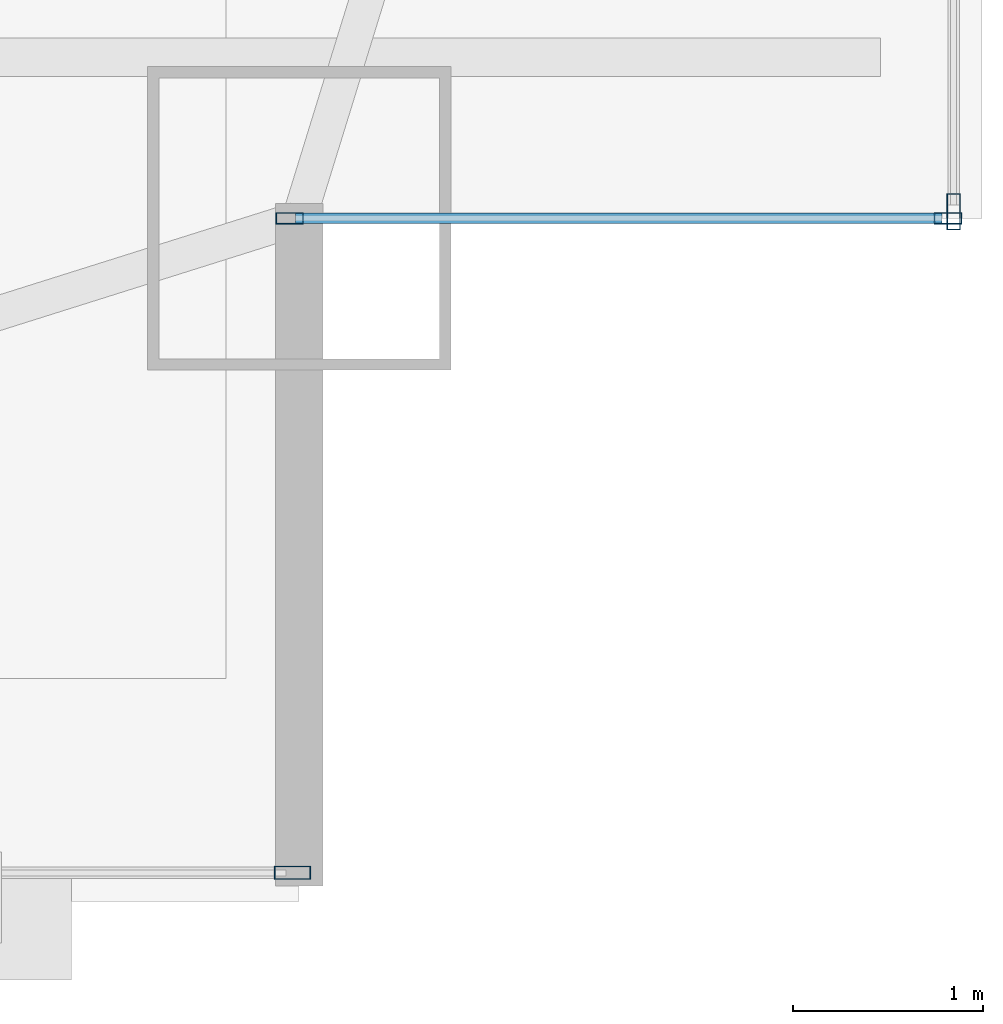
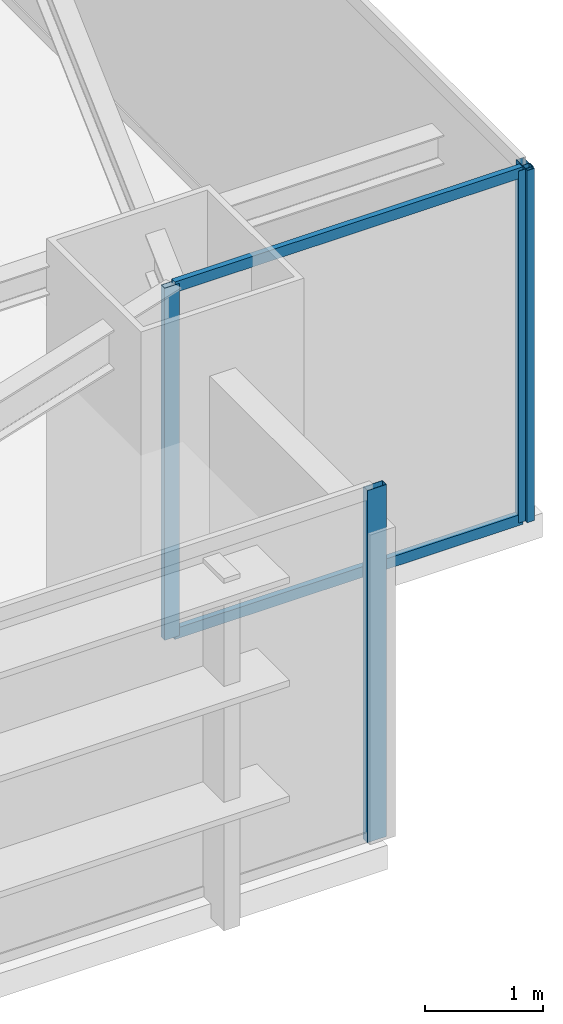
# One storey, part 16 of 30: 6 members, 3 elements without a shape of their own.
"""IFC4 building model written with IfcOpenShell, lengths in metres."""

from ifc_helpers import new_model, si_unit, direction, frame, origin, origin_2d, place, context, subcontext, project, spatial, hollow_rectangle, extrude, source, transform, mapped, material, layer, layer_set, material_profile, profile_set, type_object, type_shapes, element, aggregate, save


model = new_model("IFC4")

# Units and contexts
model_context = context("Model", 3, precision=1e-05, world=origin(), true_north=direction((0.0, 1.0)))
body_context = subcontext(model_context, "Body", "Model", "MODEL_VIEW")
ifc_project = project(units=[si_unit("LENGTHUNIT", "METRE"), si_unit("AREAUNIT", "SQUARE_METRE"), si_unit("VOLUMEUNIT", "CUBIC_METRE"), si_unit("PLANEANGLEUNIT", "RADIAN"), si_unit("MASSUNIT", "GRAM", prefix="KILO")], contexts=[model_context])

# Site, building, storey
site_placement = place(None, origin())
site = spatial("IfcSite", under=ifc_project, at=site_placement, CompositionType="ELEMENT")
building_placement = place(site_placement, origin())
building = spatial("IfcBuilding", under=site, at=building_placement, Name="Varnel Quay Broadcast Tower", CompositionType="ELEMENT")
storey_placement = place(building_placement, frame((0.0, 0.0, 62.699951171875)))
storey = spatial("IfcBuildingStorey", under=building, at=storey_placement, Name="L14", CompositionType="ELEMENT", Elevation=62.699951171875)

# Curtain wall, members
ifc_material = material(Name="Anodised Bronze Aluminium 6063-T6", Category="aluminium")
ifc_layer_1 = layer(ifc_material, 0.18994140625, Name="Anodised Bronze Aluminium 6063-T6")
ifc_layer_set_1 = layer_set([ifc_layer_1], Name="Anodised Bronze Aluminium 6063-T6")
curtain_wall_type_1 = type_object("IfcCurtainWallType", Name="CW_NotchCorner", PredefinedType="NOTDEFINED", material=ifc_layer_set_1)
curtain_wall_1_placement = place(storey_placement, origin())
curtain_wall_1 = element("IfcCurtainWall", 1, at=curtain_wall_1_placement, inside=storey, type_object=curtain_wall_type_1, Name="L14 SE Notch Curtain Wall", PredefinedType="NOTDEFINED")
ifc_material_profile_1 = material_profile(ifc_material, hollow_rectangle(XDim=0.054931640625, YDim=0.110107421875, WallThickness=0.0029296875, at=origin_2d()), Name="ALU55X110X3")
ifc_profile_set_1 = profile_set([ifc_material_profile_1], Name="Anodised Bronze Aluminium 6063-T6")
member_type_1 = type_object("IfcMemberType", Name="Tran_CWS-04", PredefinedType="USERDEFINED", material=ifc_profile_set_1)
shared_shape_1 = source(origin(), body_context, "Body", "SweptSolid", [
    extrude(hollow_rectangle(XDim=0.054931640625, YDim=0.110107421875, WallThickness=0.0029296875, at=origin_2d()), origin(), (0.0, 0.0, 1.0), 3.41015625),
])
type_shapes(member_type_1, [shared_shape_1])
member_1_placement = place(storey_placement, frame((62.3798828125, 4.800048828125, 0.027587890625), z_axis=(1.0, 0.0, 0.0), x_axis=(0.0, 1.0, 0.0)))
member_1 = element("IfcMember", 2, at=member_1_placement, type_object=member_type_1, Name="CWS-04 transom 1.1", ObjectType="TRANSOM", PredefinedType="USERDEFINED", context=body_context, shape_type="MappedRepresentation", body=[
    mapped(shared_shape_1, transform((0.0, 0.0, 0.0), x_axis=(1.0, 0.0, 0.0), y_axis=(0.0, 1.0, 0.0), z_axis=(0.0, 0.0, 1.0), scale=1.0)),
])
member_2_placement = place(storey_placement, frame((62.3798828125, 4.800048828125, 3.62255859375), z_axis=(1.0, 0.0, 0.0), x_axis=(0.0, 1.0, 0.0)))
member_2 = element("IfcMember", 3, at=member_2_placement, type_object=member_type_1, Name="CWS-04 transom 1.2", ObjectType="TRANSOM", PredefinedType="USERDEFINED", context=body_context, shape_type="MappedRepresentation", body=[
    mapped(shared_shape_1, transform((0.0, 0.0, 0.0), x_axis=(1.0, 0.0, 0.0), y_axis=(0.0, 1.0, 0.0), z_axis=(0.0, 0.0, 1.0), scale=1.0)),
])

# Curtain wall, member
ifc_layer_2 = layer(ifc_material, 0.18994140625, Name="Anodised Bronze Aluminium 6063-T6")
ifc_layer_set_2 = layer_set([ifc_layer_2], Name="Anodised Bronze Aluminium 6063-T6")
curtain_wall_type_2 = type_object("IfcCurtainWallType", Name="CW_LowerTower", PredefinedType="NOTDEFINED", material=ifc_layer_set_2)
curtain_wall_2_placement = place(storey_placement, origin())
curtain_wall_2 = element("IfcCurtainWall", 4, at=curtain_wall_2_placement, inside=storey, type_object=curtain_wall_type_2, Name="L14 South Unitised Curtain Wall 1", PredefinedType="NOTDEFINED")
ifc_material_profile_2 = material_profile(ifc_material, hollow_rectangle(XDim=0.070068359375, YDim=0.18994140625, WallThickness=0.00390625, at=origin_2d()), Name="ALU70X190X4")
ifc_profile_set_2 = profile_set([ifc_material_profile_2], Name="Anodised Bronze Aluminium 6063-T6")
member_type_2 = type_object("IfcMemberType", Name="Mull_CWS-02", PredefinedType="MULLION", material=ifc_profile_set_2)
shared_shape_2 = source(origin(), body_context, "Body", "SweptSolid", [
    extrude(hollow_rectangle(XDim=0.070068359375, YDim=0.18994140625, WallThickness=0.00390625, at=origin_2d()), origin(), (0.0, 0.0, 1.0), 3.650146484375),
])
type_shapes(member_type_2, [shared_shape_2])
member_3_placement = place(storey_placement, frame((62.364990234375, 1.35009765625, 0.0), z_axis=(0.0, 0.0, 1.0), x_axis=(0.0, 1.0, 0.0)))
member_3 = element("IfcMember", 5, at=member_3_placement, type_object=member_type_2, Name="CWS-02 mullion 6", PredefinedType="MULLION", context=body_context, shape_type="MappedRepresentation", body=[
    mapped(shared_shape_2, transform((0.0, 0.0, 0.0), x_axis=(1.0, 0.0, 0.0), y_axis=(0.0, 1.0, 0.0), z_axis=(0.0, 0.0, 1.0), scale=1.0)),
])
aggregate(curtain_wall_2, [member_3])

curtain_wall_3_placement = place(storey_placement, origin())
curtain_wall_3 = element("IfcCurtainWall", 6, at=curtain_wall_3_placement, inside=storey, type_object=curtain_wall_type_2, Name="L14 East Unitised Curtain Wall", PredefinedType="NOTDEFINED")
member_4_placement = place(storey_placement, frame((65.85009765625, 4.8349609375, 0.0), z_axis=(0.0, 0.0, 1.0), x_axis=(-1.0, 0.0, 0.0)))
member_4 = element("IfcMember", 7, at=member_4_placement, type_object=member_type_2, Name="CWS-02 mullion 1", PredefinedType="MULLION", context=body_context, shape_type="MappedRepresentation", body=[
    mapped(shared_shape_2, transform((0.0, 0.0, 0.0), x_axis=(1.0, 0.0, 0.0), y_axis=(0.0, 1.0, 0.0), z_axis=(0.0, 0.0, 1.0), scale=1.0)),
])
aggregate(curtain_wall_3, [member_4])

# Member
ifc_material_profile_3 = material_profile(ifc_material, hollow_rectangle(XDim=0.06005859375, YDim=0.14501953125, WallThickness=0.00341796875, at=origin_2d()), Name="ALU60X145X3.5")
ifc_profile_set_3 = profile_set([ifc_material_profile_3], Name="Anodised Bronze Aluminium 6063-T6")
member_type_3 = type_object("IfcMemberType", Name="Mull_CWS-04", PredefinedType="MULLION", material=ifc_profile_set_3)
shared_shape_3 = source(origin(), body_context, "Body", "SweptSolid", [
    extrude(hollow_rectangle(XDim=0.06005859375, YDim=0.14501953125, WallThickness=0.00341796875, at=origin_2d()), origin(), (0.0, 0.0, 1.0), 3.650146484375),
])
type_shapes(member_type_3, [shared_shape_3])
member_5_placement = place(storey_placement, frame((62.35009765625, 4.800048828125, 0.0), z_axis=(0.0, 0.0, 1.0), x_axis=(0.0, 1.0, 0.0)))
member_5 = element("IfcMember", 8, at=member_5_placement, type_object=member_type_3, Name="CWS-04 mullion 1", PredefinedType="MULLION", context=body_context, shape_type="MappedRepresentation", body=[
    mapped(shared_shape_3, transform((0.0, 0.0, 0.0), x_axis=(1.0, 0.0, 0.0), y_axis=(0.0, 1.0, 0.0), z_axis=(0.0, 0.0, 1.0), scale=1.0)),
])

member_6_placement = place(storey_placement, frame((65.820068359375, 4.800048828125, 0.0), z_axis=(0.0, 0.0, 1.0), x_axis=(0.0, 1.0, 0.0)))
member_6 = element("IfcMember", 9, at=member_6_placement, type_object=member_type_3, Name="CWS-04 mullion 2", PredefinedType="MULLION", context=body_context, shape_type="MappedRepresentation", body=[
    mapped(shared_shape_3, transform((0.0, 0.0, 0.0), x_axis=(1.0, 0.0, 0.0), y_axis=(0.0, 1.0, 0.0), z_axis=(0.0, 0.0, 1.0), scale=1.0)),
])

aggregate(curtain_wall_1, [member_5, member_6, member_1, member_2])

save(model, "model.ifc")
